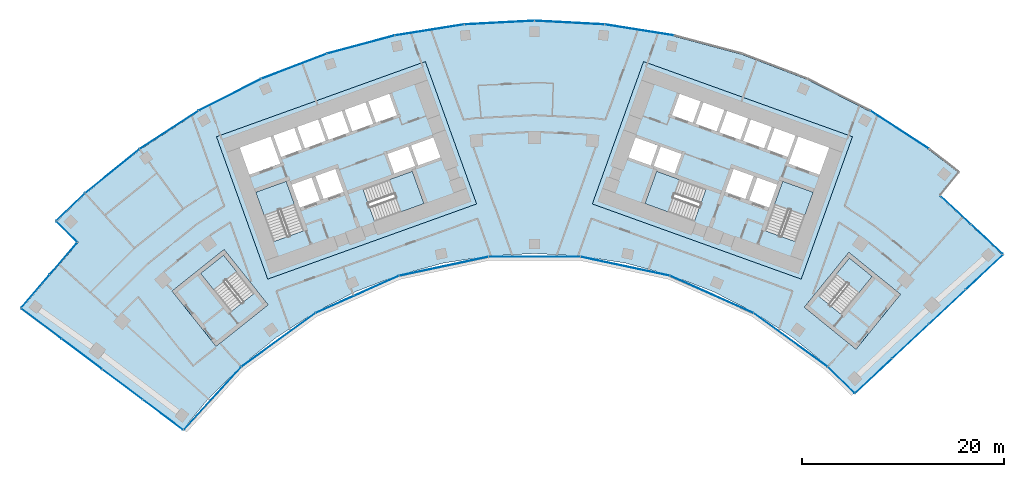
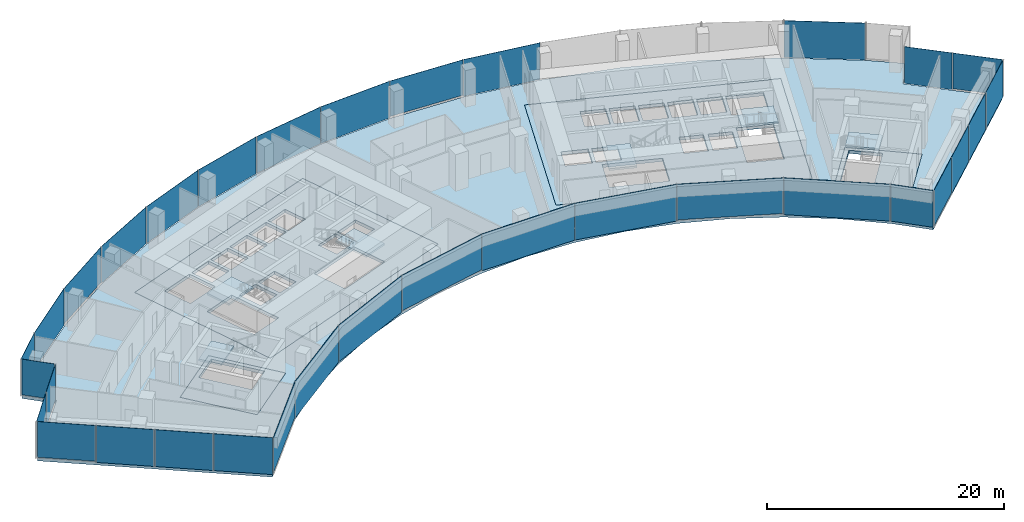
# One storey, part 11 of 20: 33 plates, 11 slabs, 13 elements without a shape of their own.
"""IFC4 building model written with IfcOpenShell, lengths in metres."""

from ifc_helpers import new_model, si_unit, direction, frame, origin, origin_2d, place, context, subcontext, project, spatial, polyline, rectangle, outline, extrude, material, layer, layer_set, type_object, element, aggregate, save


model = new_model("IFC4")

# Units and contexts
model_context = context("Model", 3, precision=1e-05, world=origin(), true_north=direction((0.0, 1.0)))
body_context = subcontext(model_context, "Body", "Model", "MODEL_VIEW")
ifc_project = project(units=[si_unit("LENGTHUNIT", "METRE"), si_unit("AREAUNIT", "SQUARE_METRE"), si_unit("VOLUMEUNIT", "CUBIC_METRE"), si_unit("PLANEANGLEUNIT", "RADIAN"), si_unit("MASSUNIT", "GRAM", prefix="KILO")], contexts=[model_context])

# Site, building, storey
site_placement = place(None, origin())
site = spatial("IfcSite", under=ifc_project, at=site_placement, CompositionType="ELEMENT")
building_placement = place(site_placement, origin())
building = spatial("IfcBuilding", under=site, at=building_placement, Name="Stone Belt Terrace Tower", CompositionType="ELEMENT")
storey_placement = place(building_placement, frame((0.0, 0.0, 185.800048828125)))
storey = spatial("IfcBuildingStorey", under=building, at=storey_placement, Name="L45", CompositionType="ELEMENT", Elevation=185.800048828125)

# Curtain wall, plates
ifc_material_1 = material(Name="Aluminium 6063-T6 anodised frame", Category="aluminium")
ifc_layer_1 = layer(ifc_material_1, 0.14990234375)
ifc_layer_set_1 = layer_set([ifc_layer_1], Name="CW-A unitised convex-face curtain wall")
curtain_wall_type_1 = type_object("IfcCurtainWallType", Name="CW-A unitised convex-face curtain wall", PredefinedType="NOTDEFINED", material=ifc_layer_set_1)
curtain_wall_1_placement = place(storey_placement, origin())
curtain_wall_1 = element("IfcCurtainWall", 1, at=curtain_wall_1_placement, inside=storey, type_object=curtain_wall_type_1, Name="CW-A convex face L45", PredefinedType="NOTDEFINED")
ifc_material_2 = material(Name="Clear double glazed unit")
ifc_layer_2 = layer(ifc_material_2, 0.031982421875)
ifc_layer_set_2 = layer_set([ifc_layer_2], Name="CW-A glass panel 32")
plate_type_1 = type_object("IfcPlateType", Name="CW-A glass panel 32", PredefinedType="CURTAIN_PANEL", material=ifc_layer_set_2)
plate_1_placement = place(storey_placement, frame((36.209716796875, 55.758056640625, 0.0), z_axis=(0.0, 0.0, 1.0), x_axis=(-0.838670567945, 0.544639035015, 0.0)))
plate_1 = element("IfcPlate", 2, at=plate_1_placement, type_object=plate_type_1, Name="CW-A panel 2.1", PredefinedType="CURTAIN_PANEL", context=body_context, shape_type="SweptSolid", body=[
    extrude(rectangle(XDim=6.900634765625, YDim=0.031982421875, at=origin_2d()), origin(), (0.0, 0.0, 1.0), 3.800048828125),
])
plate_2_placement = place(storey_placement, frame((10.400390625, 65.665283203125, 0.0), z_axis=(0.0, 0.0, 1.0), x_axis=(-0.987688340595, 0.15643446504, 0.0)))
plate_2 = element("IfcPlate", 3, at=plate_2_placement, type_object=plate_type_1, Name="CW-A panel 6.1", PredefinedType="CURTAIN_PANEL", context=body_context, shape_type="SweptSolid", body=[
    extrude(rectangle(XDim=6.90087890625, YDim=0.031982421875, at=origin_2d()), origin(), (0.0, 0.0, 1.0), 3.800048828125),
])
plate_3_placement = place(storey_placement, frame((3.4794921875, 66.392822265625, 0.14013671875), z_axis=(0.0, 0.0, 1.0), x_axis=(-0.998629534755, 0.052335956243, 0.0)))
plate_3 = element("IfcPlate", 4, at=plate_3_placement, type_object=plate_type_1, Name="CW-A panel 7.1", PredefinedType="CURTAIN_PANEL", context=body_context, shape_type="SweptSolid", body=[
    extrude(rectangle(XDim=6.90087890625, YDim=0.031982421875, at=origin_2d()), origin(), (0.0, 0.0, 1.0), 3.659912109375),
])
plate_4_placement = place(storey_placement, frame((-3.4794921875, 66.392822265625, 0.0), z_axis=(0.0, 0.0, 1.0), x_axis=(-0.998629534755, -0.052335956243, 0.0)))
plate_4 = element("IfcPlate", 5, at=plate_4_placement, type_object=plate_type_1, Name="CW-A panel 8.1", PredefinedType="CURTAIN_PANEL", context=body_context, shape_type="SweptSolid", body=[
    extrude(rectangle(XDim=6.90087890625, YDim=0.031982421875, at=origin_2d()), origin(), (0.0, 0.0, 1.0), 3.800048828125),
])
plate_5_placement = place(storey_placement, frame((-10.400390625, 65.665283203125, 0.0), z_axis=(0.0, 0.0, 1.0), x_axis=(-0.987688340595, -0.15643446504, 0.0)))
plate_5 = element("IfcPlate", 6, at=plate_5_placement, type_object=plate_type_1, Name="CW-A panel 9.1", PredefinedType="CURTAIN_PANEL", context=body_context, shape_type="SweptSolid", body=[
    extrude(rectangle(XDim=6.90087890625, YDim=0.031982421875, at=origin_2d()), origin(), (0.0, 0.0, 1.0), 3.800048828125),
])
plate_6_placement = place(storey_placement, frame((-17.207275390625, 64.218505859375, 0.0), z_axis=(0.0, 0.0, 1.0), x_axis=(-0.965925826289, -0.258819045103, 0.0)))
plate_6 = element("IfcPlate", 7, at=plate_6_placement, type_object=plate_type_1, Name="CW-A panel 10.1", PredefinedType="CURTAIN_PANEL", context=body_context, shape_type="SweptSolid", body=[
    extrude(rectangle(XDim=6.90087890625, YDim=0.031982421875, at=origin_2d()), origin(), (0.0, 0.0, 1.0), 3.800048828125),
])
plate_7_placement = place(storey_placement, frame((-23.82568359375, 62.068115234375, 0.0), z_axis=(0.0, 0.0, 1.0), x_axis=(-0.933580426497, -0.358367949545, 0.0)))
plate_7 = element("IfcPlate", 8, at=plate_7_placement, type_object=plate_type_1, Name="CW-A panel 11.1", PredefinedType="CURTAIN_PANEL", context=body_context, shape_type="SweptSolid", body=[
    extrude(rectangle(XDim=6.90087890625, YDim=0.031982421875, at=origin_2d()), origin(), (0.0, 0.0, 1.0), 3.800048828125),
])
plate_8_placement = place(storey_placement, frame((-30.18310546875, 59.237548828125, 0.0), z_axis=(0.0, 0.0, 1.0), x_axis=(-0.891006524188, -0.45399049974, 0.0)))
plate_8 = element("IfcPlate", 9, at=plate_8_placement, type_object=plate_type_1, Name="CW-A panel 12.1", PredefinedType="CURTAIN_PANEL", context=body_context, shape_type="SweptSolid", body=[
    extrude(rectangle(XDim=6.90087890625, YDim=0.031982421875, at=origin_2d()), origin(), (0.0, 0.0, 1.0), 3.800048828125),
])
plate_9_placement = place(storey_placement, frame((-36.209716796875, 55.758056640625, 0.14013671875), z_axis=(0.0, 0.0, 1.0), x_axis=(-0.838670567945, -0.544639035015, 0.0)))
plate_9 = element("IfcPlate", 10, at=plate_9_placement, type_object=plate_type_1, Name="CW-A panel 13.1", PredefinedType="CURTAIN_PANEL", context=body_context, shape_type="SweptSolid", body=[
    extrude(rectangle(XDim=6.90087890625, YDim=0.031982421875, at=origin_2d()), origin(), (0.0, 0.0, 1.0), 3.659912109375),
])
plate_10_placement = place(storey_placement, frame((-41.839599609375, 51.667724609375, 0.0), z_axis=(0.0, 0.0, 1.0), x_axis=(-0.777145961457, -0.62932039105, 0.0)))
plate_10 = element("IfcPlate", 11, at=plate_10_placement, type_object=plate_type_1, Name="CW-A panel 14.1", PredefinedType="CURTAIN_PANEL", context=body_context, shape_type="SweptSolid", body=[
    extrude(rectangle(XDim=6.900634765625, YDim=0.031982421875, at=origin_2d()), origin(), (0.0, 0.0, 1.0), 3.800048828125),
])
plate_11_placement = place(storey_placement, frame((-45.9765625, 48.109619140625, 0.0), z_axis=(0.0, 0.0, 1.0), x_axis=(-0.723120883539, -0.690721497993, 0.0)))
plate_11 = element("IfcPlate", 12, at=plate_11_placement, type_object=plate_type_1, Name="CW-A panel 15.1", PredefinedType="CURTAIN_PANEL", context=body_context, shape_type="SweptSolid", body=[
    extrude(rectangle(XDim=3.888671875, YDim=0.031982421875, at=origin_2d()), origin(), (0.0, 0.0, 1.0), 3.800048828125),
])
aggregate(curtain_wall_1, [plate_1, plate_2, plate_3, plate_4, plate_5, plate_6, plate_7, plate_8, plate_9, plate_10, plate_11])

ifc_layer_3 = layer(ifc_material_1, 0.14990234375)
ifc_layer_set_3 = layer_set([ifc_layer_3], Name="CW-B unitised concave-face curtain wall")
curtain_wall_type_2 = type_object("IfcCurtainWallType", Name="CW-B unitised concave-face curtain wall", PredefinedType="NOTDEFINED", material=ifc_layer_set_3)
curtain_wall_2_placement = place(storey_placement, origin())
curtain_wall_2 = element("IfcCurtainWall", 13, at=curtain_wall_2_placement, inside=storey, type_object=curtain_wall_type_2, Name="CW-B concave face L45", PredefinedType="NOTDEFINED")
ifc_layer_4 = layer(ifc_material_2, 0.030029296875)
ifc_layer_set_4 = layer_set([ifc_layer_4], Name="CW-B glass panel 30")
plate_type_2 = type_object("IfcPlateType", Name="CW-B glass panel 30", PredefinedType="CURTAIN_PANEL", material=ifc_layer_set_4)
plate_12_placement = place(storey_placement, frame((-31.9111328125, 29.148681640625, 0.1201171875), z_axis=(0.0, 0.0, 1.0), x_axis=(0.674760998748, 0.73803630979, 0.0)))
plate_12 = element("IfcPlate", 14, at=plate_12_placement, type_object=plate_type_2, Name="CW-B panel 1.1", PredefinedType="CURTAIN_PANEL", context=body_context, shape_type="SweptSolid", body=[
    extrude(rectangle(XDim=8.39501953125, YDim=0.030029296875, at=origin_2d()), origin(), (0.0, 0.0, 1.0), 3.679931640625),
])
plate_13_placement = place(storey_placement, frame((-25.384765625, 34.938720703125, 0.0), z_axis=(0.0, 0.0, 1.0), x_axis=(0.809016994375, 0.587785252292, 0.0)))
plate_13 = element("IfcPlate", 15, at=plate_13_placement, type_object=plate_type_2, Name="CW-B panel 2.1", PredefinedType="CURTAIN_PANEL", context=body_context, shape_type="SweptSolid", body=[
    extrude(rectangle(XDim=9.013427734375, YDim=0.030029296875, at=origin_2d()), origin(), (0.0, 0.0, 1.0), 3.800048828125),
])
plate_14_placement = place(storey_placement, frame((-17.565673828125, 39.453125, 0.0), z_axis=(0.0, 0.0, 1.0), x_axis=(0.913545457643, 0.406736643076, 0.0)))
plate_14 = element("IfcPlate", 16, at=plate_14_placement, type_object=plate_type_2, Name="CW-B panel 3.1", PredefinedType="CURTAIN_PANEL", context=body_context, shape_type="SweptSolid", body=[
    extrude(rectangle(XDim=9.0126953125, YDim=0.030029296875, at=origin_2d()), origin(), (0.0, 0.0, 1.0), 3.800048828125),
])
plate_15_placement = place(storey_placement, frame((-8.97900390625, 42.242919921875, 0.1201171875), z_axis=(0.0, 0.0, 1.0), x_axis=(0.978147600734, 0.207911690818, 0.0)))
plate_15 = element("IfcPlate", 17, at=plate_15_placement, type_object=plate_type_2, Name="CW-B panel 4.1", PredefinedType="CURTAIN_PANEL", context=body_context, shape_type="SweptSolid", body=[
    extrude(rectangle(XDim=9.0126953125, YDim=0.030029296875, at=origin_2d()), origin(), (0.0, 0.0, 1.0), 3.679931640625),
])
plate_16_placement = place(storey_placement, frame((0.0, 43.186767578125, 0.0), z_axis=(0.0, 0.0, 1.0), x_axis=(1.0, 0.0, 0.0)))
plate_16 = element("IfcPlate", 18, at=plate_16_placement, type_object=plate_type_2, Name="CW-B panel 5.1", PredefinedType="CURTAIN_PANEL", context=body_context, shape_type="SweptSolid", body=[
    extrude(rectangle(XDim=9.0126953125, YDim=0.030029296875, at=origin_2d()), origin(), (0.0, 0.0, 1.0), 3.800048828125),
])
plate_17_placement = place(storey_placement, frame((8.97900390625, 42.242919921875, 0.0), z_axis=(0.0, 0.0, 1.0), x_axis=(0.978147600734, -0.207911690818, 0.0)))
plate_17 = element("IfcPlate", 19, at=plate_17_placement, type_object=plate_type_2, Name="CW-B panel 6.1", PredefinedType="CURTAIN_PANEL", context=body_context, shape_type="SweptSolid", body=[
    extrude(rectangle(XDim=9.0126953125, YDim=0.030029296875, at=origin_2d()), origin(), (0.0, 0.0, 1.0), 3.800048828125),
])
plate_18_placement = place(storey_placement, frame((17.565673828125, 39.453125, 0.1201171875), z_axis=(0.0, 0.0, 1.0), x_axis=(0.913545457643, -0.406736643076, 0.0)))
plate_18 = element("IfcPlate", 20, at=plate_18_placement, type_object=plate_type_2, Name="CW-B panel 7.1", PredefinedType="CURTAIN_PANEL", context=body_context, shape_type="SweptSolid", body=[
    extrude(rectangle(XDim=9.0126953125, YDim=0.030029296875, at=origin_2d()), origin(), (0.0, 0.0, 1.0), 3.679931640625),
])
plate_19_placement = place(storey_placement, frame((25.386474609375, 34.9375, 0.0), z_axis=(0.0, 0.0, 1.0), x_axis=(0.809016994375, -0.587785252292, 0.0)))
plate_19 = element("IfcPlate", 21, at=plate_19_placement, type_object=plate_type_2, Name="CW-B panel 8.1", PredefinedType="CURTAIN_PANEL", context=body_context, shape_type="SweptSolid", body=[
    extrude(rectangle(XDim=9.017333984375, YDim=0.030029296875, at=origin_2d()), origin(), (0.0, 0.0, 1.0), 3.800048828125),
])
plate_20_placement = place(storey_placement, frame((30.39013671875, 30.9638671875, 0.0), z_axis=(0.0, 0.0, 1.0), x_axis=(0.713994037945, -0.700151779102, 0.0)))
plate_20 = element("IfcPlate", 22, at=plate_20_placement, type_object=plate_type_2, Name="CW-B panel 9.1", PredefinedType="CURTAIN_PANEL", context=body_context, shape_type="SweptSolid", body=[
    extrude(rectangle(XDim=3.66845703125, YDim=0.030029296875, at=origin_2d()), origin(), (0.0, 0.0, 1.0), 3.800048828125),
])
aggregate(curtain_wall_2, [plate_12, plate_13, plate_14, plate_15, plate_16, plate_17, plate_18, plate_19, plate_20])

ifc_layer_5 = layer(ifc_material_1, 0.14990234375)
ifc_layer_set_5 = layer_set([ifc_layer_5], Name="CW-C stick curtain wall, horn ends and notches")
curtain_wall_type_3 = type_object("IfcCurtainWallType", Name="CW-C stick curtain wall, horn ends and notches", PredefinedType="NOTDEFINED", material=ifc_layer_set_5)
curtain_wall_3_placement = place(storey_placement, origin())
curtain_wall_3 = element("IfcCurtainWall", 23, at=curtain_wall_3_placement, inside=storey, type_object=curtain_wall_type_3, Name="CW-C end face L45", PredefinedType="NOTDEFINED")
ifc_layer_6 = layer(ifc_material_2, 0.028076171875)
ifc_layer_set_6 = layer_set([ifc_layer_6], Name="CW-C glass panel 28")
plate_type_3 = type_object("IfcPlateType", Name="CW-C glass panel 28", PredefinedType="CURTAIN_PANEL", material=ifc_layer_set_6)
plate_21_placement = place(storey_placement, frame((33.616455078125, 31.37890625, 0.1201171875), z_axis=(0.0, 0.0, 1.0), x_axis=(0.729904219708, 0.683549434973, 0.0)))
plate_21 = element("IfcPlate", 24, at=plate_21_placement, type_object=plate_type_3, Name="CW-C panel 1.1", PredefinedType="CURTAIN_PANEL", context=body_context, shape_type="SweptSolid", body=[
    extrude(rectangle(XDim=4.96826171875, YDim=0.028076171875, at=origin_2d()), origin(), (0.0, 0.0, 1.0), 3.679931640625),
])
plate_22_placement = place(storey_placement, frame((37.2763671875, 34.806396484375, 0.0), z_axis=(0.0, 0.0, 1.0), x_axis=(0.729904219708, 0.683549434973, 0.0)))
plate_22 = element("IfcPlate", 25, at=plate_22_placement, type_object=plate_type_3, Name="CW-C panel 2.1", PredefinedType="CURTAIN_PANEL", context=body_context, shape_type="SweptSolid", body=[
    extrude(rectangle(XDim=4.93994140625, YDim=0.028076171875, at=origin_2d()), origin(), (0.0, 0.0, 1.0), 3.800048828125),
])
plate_23_placement = place(storey_placement, frame((40.92578125, 38.22412109375, 0.0), z_axis=(0.0, 0.0, 1.0), x_axis=(0.729904219708, 0.683549434973, 0.0)))
plate_23 = element("IfcPlate", 26, at=plate_23_placement, type_object=plate_type_3, Name="CW-C panel 3.1", PredefinedType="CURTAIN_PANEL", context=body_context, shape_type="SweptSolid", body=[
    extrude(rectangle(XDim=4.93994140625, YDim=0.028076171875, at=origin_2d()), origin(), (0.0, 0.0, 1.0), 3.800048828125),
])
plate_24_placement = place(storey_placement, frame((44.588134765625, 41.65380859375, 0.0), z_axis=(0.0, 0.0, 1.0), x_axis=(0.729904219708, 0.683549434973, 0.0)))
plate_24 = element("IfcPlate", 27, at=plate_24_placement, type_object=plate_type_3, Name="CW-C panel 4.1", PredefinedType="CURTAIN_PANEL", context=body_context, shape_type="SweptSolid", body=[
    extrude(rectangle(XDim=4.974853515625, YDim=0.028076171875, at=origin_2d()), origin(), (0.0, 0.0, 1.0), 3.800048828125),
])
aggregate(curtain_wall_3, [plate_21, plate_22, plate_23, plate_24])

curtain_wall_4_placement = place(storey_placement, origin())
curtain_wall_4 = element("IfcCurtainWall", 28, at=curtain_wall_4_placement, inside=storey, type_object=curtain_wall_type_3, Name="CW-C notch face L45", PredefinedType="NOTDEFINED")
plate_25_placement = place(storey_placement, frame((44.8427734375, 44.91259765625, 0.1201171875), z_axis=(0.0, 0.0, 1.0), x_axis=(-0.731339333871, 0.682013767261, 0.0)))
plate_25 = element("IfcPlate", 29, at=plate_25_placement, type_object=plate_type_3, Name="CW-C panel 1.1", PredefinedType="CURTAIN_PANEL", context=body_context, shape_type="SweptSolid", body=[
    extrude(rectangle(XDim=4.268798828125, YDim=0.028076171875, at=origin_2d()), origin(), (0.0, 0.0, 1.0), 3.679931640625),
])
plate_26_placement = place(storey_placement, frame((41.731201171875, 47.814208984375, 0.0), z_axis=(0.0, 0.0, 1.0), x_axis=(-0.731339333871, 0.682013767261, 0.0)))
plate_26 = element("IfcPlate", 30, at=plate_26_placement, type_object=plate_type_3, Name="CW-C panel 2.1", PredefinedType="CURTAIN_PANEL", context=body_context, shape_type="SweptSolid", body=[
    extrude(rectangle(XDim=4.12060546875, YDim=0.028076171875, at=origin_2d()), origin(), (0.0, 0.0, 1.0), 3.800048828125),
])
aggregate(curtain_wall_4, [plate_25, plate_26])

# Curtain wall, plate
curtain_wall_5_placement = place(storey_placement, origin())
curtain_wall_5 = element("IfcCurtainWall", 31, at=curtain_wall_5_placement, inside=storey, type_object=curtain_wall_type_3, Name="CW-C notch face L45", PredefinedType="NOTDEFINED")
plate_27_placement = place(storey_placement, frame((-46.365966796875, 45.658447265625, 0.1201171875), z_axis=(0.0, 0.0, 1.0), x_axis=(0.711713447851, -0.702469905511, 0.0)))
plate_27 = element("IfcPlate", 32, at=plate_27_placement, type_object=plate_type_3, Name="CW-C panel 1.1", PredefinedType="CURTAIN_PANEL", context=body_context, shape_type="SweptSolid", body=[
    extrude(rectangle(XDim=2.859375, YDim=0.028076171875, at=origin_2d()), origin(), (0.0, 0.0, 1.0), 3.679931640625),
])
aggregate(curtain_wall_5, [plate_27])

# Curtain wall, plates
curtain_wall_6_placement = place(storey_placement, origin())
curtain_wall_6 = element("IfcCurtainWall", 33, at=curtain_wall_6_placement, inside=storey, type_object=curtain_wall_type_3, Name="CW-C notch face L45", PredefinedType="NOTDEFINED")
plate_28_placement = place(storey_placement, frame((-46.68896484375, 42.986572265625, 0.1201171875), z_axis=(0.0, 0.0, 1.0), x_axis=(-0.652737860281, -0.757583847343, 0.0)))
plate_28 = element("IfcPlate", 34, at=plate_28_placement, type_object=plate_type_3, Name="CW-C panel 1.1", PredefinedType="CURTAIN_PANEL", context=body_context, shape_type="SweptSolid", body=[
    extrude(rectangle(XDim=4.12060546875, YDim=0.028076171875, at=origin_2d()), origin(), (0.0, 0.0, 1.0), 3.679931640625),
])
plate_29_placement = place(storey_placement, frame((-49.466064453125, 39.76318359375, 0.0), z_axis=(0.0, 0.0, 1.0), x_axis=(-0.652737860281, -0.757583847343, 0.0)))
plate_29 = element("IfcPlate", 35, at=plate_29_placement, type_object=plate_type_3, Name="CW-C panel 2.1", PredefinedType="CURTAIN_PANEL", context=body_context, shape_type="SweptSolid", body=[
    extrude(rectangle(XDim=4.268798828125, YDim=0.028076171875, at=origin_2d()), origin(), (0.0, 0.0, 1.0), 3.800048828125),
])
aggregate(curtain_wall_6, [plate_28, plate_29])

curtain_wall_7_placement = place(storey_placement, origin())
curtain_wall_7 = element("IfcCurtainWall", 36, at=curtain_wall_7_placement, inside=storey, type_object=curtain_wall_type_3, Name="CW-C end face L45", PredefinedType="NOTDEFINED")
plate_30_placement = place(storey_placement, frame((-48.858154296875, 36.551513671875, 0.1201171875), z_axis=(0.0, 0.0, 1.0), x_axis=(0.799986505357, -0.600017992436, 0.0)))
plate_30 = element("IfcPlate", 37, at=plate_30_placement, type_object=plate_type_3, Name="CW-C panel 1.1", PredefinedType="CURTAIN_PANEL", context=body_context, shape_type="SweptSolid", body=[
    extrude(rectangle(XDim=4.974853515625, YDim=0.028076171875, at=origin_2d()), origin(), (0.0, 0.0, 1.0), 3.679931640625),
])
plate_31_placement = place(storey_placement, frame((-44.84423828125, 33.541015625, 0.0), z_axis=(0.0, 0.0, 1.0), x_axis=(0.799986505357, -0.600017992436, 0.0)))
plate_31 = element("IfcPlate", 38, at=plate_31_placement, type_object=plate_type_3, Name="CW-C panel 2.1", PredefinedType="CURTAIN_PANEL", context=body_context, shape_type="SweptSolid", body=[
    extrude(rectangle(XDim=4.93994140625, YDim=0.028076171875, at=origin_2d()), origin(), (0.0, 0.0, 1.0), 3.800048828125),
])
plate_32_placement = place(storey_placement, frame((-40.84423828125, 30.541015625, 0.0), z_axis=(0.0, 0.0, 1.0), x_axis=(0.799986505357, -0.600017992436, 0.0)))
plate_32 = element("IfcPlate", 39, at=plate_32_placement, type_object=plate_type_3, Name="CW-C panel 3.1", PredefinedType="CURTAIN_PANEL", context=body_context, shape_type="SweptSolid", body=[
    extrude(rectangle(XDim=4.93994140625, YDim=0.028076171875, at=origin_2d()), origin(), (0.0, 0.0, 1.0), 3.800048828125),
])
plate_33_placement = place(storey_placement, frame((-36.834228515625, 27.533203125, 0.0), z_axis=(0.0, 0.0, 1.0), x_axis=(0.799986505357, -0.600017992436, 0.0)))
plate_33 = element("IfcPlate", 40, at=plate_33_placement, type_object=plate_type_3, Name="CW-C panel 4.1", PredefinedType="CURTAIN_PANEL", context=body_context, shape_type="SweptSolid", body=[
    extrude(rectangle(XDim=4.96533203125, YDim=0.028076171875, at=origin_2d()), origin(), (0.0, 0.0, 1.0), 3.800048828125),
])
aggregate(curtain_wall_7, [plate_30, plate_31, plate_32, plate_33])

# Slabs
ifc_material_3 = material(Name="Concrete B40", Category="concrete")
ifc_layer_7 = layer(ifc_material_3, 0.320068359375)
ifc_layer_set_7 = layer_set([ifc_layer_7], Name="Core floor slab 320")
slab_type_1 = type_object("IfcSlabType", Name="Core floor slab 320", PredefinedType="FLOOR", material=ifc_layer_set_7)
slab_1_placement = place(storey_placement, frame((0.0, 0.0, -0.320068359375)))
element("IfcSlab", 41, at=slab_1_placement, inside=storey, type_object=slab_type_1, Name="Core A floor L45", PredefinedType="FLOOR", context=body_context, shape_type="SweptSolid", body=[
    extrude(outline(polyline([(-26.43505859375, 40.968994140625), (-5.735107421875, 48.4189453125), (-10.81396484375, 62.531982421875), (-31.513916015625, 55.0830078125), (-26.43505859375, 40.968994140625)]), holes=[polyline([(-24.60791015625, 50.659912109375), (-22.847900390625, 45.76806640625), (-25.85888671875, 44.68408203125), (-27.618896484375, 49.575927734375), (-24.60791015625, 50.659912109375)]), polyline([(-23.25, 48.06689453125), (-24.06298828125, 50.324951171875), (-22.0869140625, 51.035888671875), (-21.27392578125, 48.778076171875), (-23.25, 48.06689453125)]), polyline([(-20.89794921875, 48.9130859375), (-21.7109375, 51.1708984375), (-19.735107421875, 51.883056640625), (-18.922119140625, 49.6240234375), (-20.89794921875, 48.9130859375)]), polyline([(-28.24609375, 51.31689453125), (-29.2109375, 53.9990234375), (-26.153076171875, 55.09912109375), (-25.18798828125, 52.41796875), (-28.24609375, 51.31689453125)]), polyline([(-23.801025390625, 55.946044921875), (-23.0390625, 53.8291015625), (-25.10888671875, 53.083984375), (-25.87109375, 55.200927734375), (-23.801025390625, 55.946044921875)]), polyline([(-21.447998046875, 56.7919921875), (-20.68603515625, 54.675048828125), (-22.756103515625, 53.929931640625), (-23.51806640625, 56.047119140625), (-21.447998046875, 56.7919921875)]), polyline([(-10.955078125, 48.452880859375), (-15.846923828125, 46.69189453125), (-16.998046875, 49.89208984375), (-12.10595703125, 51.652099609375), (-10.955078125, 48.452880859375)]), polyline([(-11.847900390625, 52.116943359375), (-11.864990234375, 52.1640625), (-13.887939453125, 51.43603515625), (-14.58203125, 53.364990234375), (-12.511962890625, 54.110107421875), (-11.801025390625, 52.134033203125), (-11.847900390625, 52.116943359375)]), polyline([(-9.30810546875, 53.031005859375), (-11.51904296875, 52.235107421875), (-12.22998046875, 54.2109375), (-10.01904296875, 55.007080078125), (-9.30810546875, 53.031005859375)]), polyline([(-21.166015625, 56.89404296875), (-19.095947265625, 57.638916015625), (-18.333984375, 55.52197265625), (-20.404052734375, 54.777099609375), (-21.166015625, 56.89404296875)]), polyline([(-16.743896484375, 58.485107421875), (-15.98193359375, 56.367919921875), (-18.052001953125, 55.623046875), (-18.81396484375, 57.739990234375), (-16.743896484375, 58.485107421875)]), polyline([(-14.39111328125, 59.33203125), (-13.6298828125, 57.215087890625), (-15.699951171875, 56.469970703125), (-16.4609375, 58.5869140625), (-14.39111328125, 59.33203125)])]), origin(), (0.0, 0.0, 1.0), 0.320068359375),
])
slab_2_placement = place(storey_placement, frame((0.0, 0.0, -0.320068359375)))
element("IfcSlab", 42, at=slab_2_placement, inside=storey, type_object=slab_type_1, Name="Core B floor L45", PredefinedType="FLOOR", context=body_context, shape_type="SweptSolid", body=[
    extrude(outline(polyline([(26.43505859375, 40.968994140625), (31.513916015625, 55.0830078125), (10.81396484375, 62.531982421875), (5.735107421875, 48.4189453125), (26.43505859375, 40.968994140625)]), holes=[polyline([(12.10595703125, 51.652099609375), (16.998046875, 49.89208984375), (15.846923828125, 46.69189453125), (10.955078125, 48.452880859375), (12.10595703125, 51.652099609375)]), polyline([(12.511962890625, 54.110107421875), (14.58203125, 53.364990234375), (13.887939453125, 51.43603515625), (11.864990234375, 52.1640625), (11.847900390625, 52.116943359375), (11.801025390625, 52.134033203125), (12.511962890625, 54.110107421875)]), polyline([(9.30810546875, 53.031005859375), (10.01904296875, 55.007080078125), (12.22998046875, 54.2109375), (11.51904296875, 52.235107421875), (9.30810546875, 53.031005859375)]), polyline([(18.333984375, 55.52197265625), (19.095947265625, 57.638916015625), (21.166015625, 56.89404296875), (20.404052734375, 54.777099609375), (18.333984375, 55.52197265625)]), polyline([(16.743896484375, 58.485107421875), (18.81396484375, 57.739990234375), (18.052001953125, 55.623046875), (15.98193359375, 56.367919921875), (16.743896484375, 58.485107421875)]), polyline([(14.39111328125, 59.33203125), (16.4609375, 58.5869140625), (15.699951171875, 56.469970703125), (13.6298828125, 57.215087890625), (14.39111328125, 59.33203125)]), polyline([(27.618896484375, 49.575927734375), (25.85888671875, 44.68408203125), (22.847900390625, 45.76806640625), (24.60791015625, 50.659912109375), (27.618896484375, 49.575927734375)]), polyline([(23.25, 48.06689453125), (21.27392578125, 48.778076171875), (22.0869140625, 51.035888671875), (24.06298828125, 50.324951171875), (23.25, 48.06689453125)]), polyline([(20.89794921875, 48.9130859375), (18.922119140625, 49.6240234375), (19.735107421875, 51.883056640625), (21.7109375, 51.1708984375), (20.89794921875, 48.9130859375)]), polyline([(26.153076171875, 55.09912109375), (29.2109375, 53.9990234375), (28.24609375, 51.31689453125), (25.18798828125, 52.41796875), (26.153076171875, 55.09912109375)]), polyline([(23.801025390625, 55.946044921875), (25.87109375, 55.200927734375), (25.10888671875, 53.083984375), (23.0390625, 53.8291015625), (23.801025390625, 55.946044921875)]), polyline([(21.447998046875, 56.7919921875), (23.51806640625, 56.047119140625), (22.756103515625, 53.929931640625), (20.68603515625, 54.675048828125), (21.447998046875, 56.7919921875)])]), origin(), (0.0, 0.0, 1.0), 0.320068359375),
])
slab_3_placement = place(storey_placement, frame((0.0, 0.0, -0.320068359375)))
element("IfcSlab", 43, at=slab_3_placement, inside=storey, type_object=slab_type_1, Name="Exit stair ST3A floor L45", PredefinedType="FLOOR", context=body_context, shape_type="SweptSolid", body=[
    extrude(outline(polyline([(-26.39404296875, 38.425048828125), (-30.756103515625, 43.89990234375), (-35.91796875, 39.787109375), (-31.555908203125, 34.31298828125), (-26.39404296875, 38.425048828125)]), holes=[polyline([(-27.798095703125, 39.544921875), (-30.06591796875, 37.738037109375), (-33.087890625, 41.531005859375), (-30.820068359375, 43.337890625), (-27.798095703125, 39.544921875)])]), origin(), (0.0, 0.0, 1.0), 0.320068359375),
])
slab_4_placement = place(storey_placement, frame((0.0, 0.0, -0.320068359375)))
element("IfcSlab", 44, at=slab_4_placement, inside=storey, type_object=slab_type_1, Name="Exit stair ST3B floor L45", PredefinedType="FLOOR", context=body_context, shape_type="SweptSolid", body=[
    extrude(outline(polyline([(26.741943359375, 38.18408203125), (31.866943359375, 34.02392578125), (36.278076171875, 39.458984375), (31.154052734375, 43.618896484375), (26.741943359375, 38.18408203125)]), holes=[polyline([(30.407958984375, 37.462890625), (28.156005859375, 39.291015625), (31.2119140625, 43.055908203125), (33.464111328125, 41.22802734375), (30.407958984375, 37.462890625)])]), origin(), (0.0, 0.0, 1.0), 0.320068359375),
])
ifc_layer_8 = layer(ifc_material_3, 0.320068359375)
ifc_layer_set_8 = layer_set([ifc_layer_8], Name="Floor slab 320 B40")
slab_type_2 = type_object("IfcSlabType", Name="Floor slab 320 B40", PredefinedType="FLOOR", material=ifc_layer_set_8)
slab_5_placement = place(storey_placement, frame((0.0, 0.0, -0.320068359375)))
element("IfcSlab", 45, at=slab_5_placement, inside=storey, type_object=slab_type_2, Name="Floor slab L45", PredefinedType="FLOOR", context=body_context, shape_type="SweptSolid", body=[
    extrude(outline(polyline([(-44.497314453125, 49.419189453125), (-39.087646484375, 53.799560546875), (-33.25, 57.5908203125), (-27.048095703125, 60.750732421875), (-20.549560546875, 63.245361328125), (-13.826171875, 65.046875), (-6.951171875, 66.1357421875), (0.0, 66.5), (6.951171875, 66.1357421875), (13.826171875, 65.046875), (20.549560546875, 63.245361328125), (27.048095703125, 60.750732421875), (33.25, 57.5908203125), (39.087646484375, 53.799560546875), (41.961669921875, 51.589599609375), (40.068603515625, 49.26220703125), (46.348876953125, 43.405517578125), (31.750732421875, 29.734375), (29.107177734375, 32.326904296875), (25.568603515625, 35.192138671875), (21.75, 37.672119140625), (17.693115234375, 39.7392578125), (13.442138671875, 41.37109375), (9.044189453125, 42.54931640625), (4.547119140625, 43.26171875), (0.0, 43.5), (-4.547119140625, 43.26171875), (-9.044189453125, 42.54931640625), (-13.442138671875, 41.37109375), (-17.693115234375, 39.7392578125), (-21.75, 37.672119140625), (-25.568603515625, 35.192138671875), (-29.107177734375, 32.326904296875), (-32.326904296875, 29.107177734375), (-34.79931640625, 26.100830078125), (-50.799072265625, 38.10107421875), (-45.19384765625, 44.606689453125), (-47.328857421875, 46.714111328125), (-44.497314453125, 49.419189453125)]), holes=[polyline([(-26.434814453125, 40.968994140625), (-5.734619140625, 48.418701171875), (-10.81396484375, 62.532470703125), (-31.51416015625, 55.082763671875), (-26.434814453125, 40.968994140625)]), polyline([(10.81396484375, 62.532470703125), (5.734619140625, 48.418701171875), (26.434814453125, 40.968994140625), (31.51416015625, 55.082763671875), (10.81396484375, 62.532470703125)]), polyline([(-35.91796875, 39.787353515625), (-31.55615234375, 34.3125), (-26.39404296875, 38.425048828125), (-30.756103515625, 43.89990234375), (-35.91796875, 39.787353515625)]), polyline([(36.2783203125, 39.459228515625), (31.15380859375, 43.61865234375), (26.742431640625, 38.18359375), (31.86669921875, 34.024169921875), (36.2783203125, 39.459228515625)])]), origin(), (0.0, 0.0, 1.0), 0.320068359375),
])

# Stair, slab
stair_type = type_object("IfcStairType", Name="Exit stair 1500", PredefinedType="HALF_TURN_STAIR", material=ifc_material_3)
stair_1_placement = place(storey_placement, origin())
stair_1 = element("IfcStair", 46, at=stair_1_placement, inside=storey, type_object=stair_type, Name="L45 Exit stair 1 core A", PredefinedType="HALF_TURN_STAIR")
ifc_layer_9 = layer(ifc_material_3, 0.199951171875)
ifc_layer_set_9 = layer_set([ifc_layer_9], Name="Stair landing 200")
slab_type_3 = type_object("IfcSlabType", Name="Stair landing 200", PredefinedType="LANDING", material=ifc_layer_set_9)
slab_6_placement = place(storey_placement, frame((0.0, 0.0, 1.699951171875)))
slab_6 = element("IfcSlab", 47, at=slab_6_placement, type_object=slab_type_3, Name="ST1A landing 1", PredefinedType="LANDING", context=body_context, shape_type="SweptSolid", body=[
    extrude(outline(polyline([(-23.79541015625, 48.40087890625), (-24.6083984375, 50.659912109375), (-27.619384765625, 49.576171875), (-26.806396484375, 47.3173828125), (-23.79541015625, 48.40087890625)])), origin(), (0.0, 0.0, 1.0), 0.199951171875),
])
aggregate(stair_1, [slab_6])

stair_2_placement = place(storey_placement, origin())
stair_2 = element("IfcStair", 48, at=stair_2_placement, inside=storey, type_object=stair_type, Name="L45 Exit stair 2 core A", PredefinedType="HALF_TURN_STAIR")
slab_7_placement = place(storey_placement, frame((0.0, 0.0, 1.699951171875)))
slab_7 = element("IfcSlab", 49, at=slab_7_placement, type_object=slab_type_3, Name="ST2A landing 1", PredefinedType="LANDING", context=body_context, shape_type="SweptSolid", body=[
    extrude(outline(polyline([(-13.213623046875, 47.64013671875), (-10.95458984375, 48.453125), (-12.10595703125, 51.652099609375), (-14.36474609375, 50.839111328125), (-13.213623046875, 47.64013671875)])), origin(), (0.0, 0.0, 1.0), 0.199951171875),
])
aggregate(stair_2, [slab_7])

stair_3_placement = place(storey_placement, origin())
stair_3 = element("IfcStair", 50, at=stair_3_placement, inside=storey, type_object=stair_type, Name="L45 Exit stair 1 core B", PredefinedType="HALF_TURN_STAIR")
slab_8_placement = place(storey_placement, frame((0.0, 0.0, 1.699951171875)))
slab_8 = element("IfcSlab", 51, at=slab_8_placement, type_object=slab_type_3, Name="ST1B landing 1", PredefinedType="LANDING", context=body_context, shape_type="SweptSolid", body=[
    extrude(outline(polyline([(26.806396484375, 47.3173828125), (27.619384765625, 49.576171875), (24.6083984375, 50.659912109375), (23.79541015625, 48.40087890625), (26.806396484375, 47.3173828125)])), origin(), (0.0, 0.0, 1.0), 0.199951171875),
])
aggregate(stair_3, [slab_8])

stair_4_placement = place(storey_placement, origin())
stair_4 = element("IfcStair", 52, at=stair_4_placement, inside=storey, type_object=stair_type, Name="L45 Exit stair 2 core B", PredefinedType="HALF_TURN_STAIR")
slab_9_placement = place(storey_placement, frame((0.0, 0.0, 1.699951171875)))
slab_9 = element("IfcSlab", 53, at=slab_9_placement, type_object=slab_type_3, Name="ST2B landing 1", PredefinedType="LANDING", context=body_context, shape_type="SweptSolid", body=[
    extrude(outline(polyline([(14.36474609375, 50.839111328125), (12.10595703125, 51.652099609375), (10.95458984375, 48.453125), (13.213623046875, 47.64013671875), (14.36474609375, 50.839111328125)])), origin(), (0.0, 0.0, 1.0), 0.199951171875),
])
aggregate(stair_4, [slab_9])

stair_5_placement = place(storey_placement, origin())
stair_5 = element("IfcStair", 54, at=stair_5_placement, inside=storey, type_object=stair_type, Name="L45 Exit stair 3A", PredefinedType="HALF_TURN_STAIR")
slab_10_placement = place(storey_placement, frame((0.0, 0.0, 1.699951171875)))
slab_10 = element("IfcSlab", 55, at=slab_10_placement, type_object=slab_type_3, Name="ST3A landing 1", PredefinedType="LANDING", context=body_context, shape_type="SweptSolid", body=[
    extrude(outline(polyline([(-29.541748046875, 41.73388671875), (-30.819580078125, 43.337890625), (-33.087646484375, 41.53076171875), (-31.809814453125, 39.9267578125), (-29.541748046875, 41.73388671875)])), origin(), (0.0, 0.0, 1.0), 0.199951171875),
])
aggregate(stair_5, [slab_10])

stair_6_placement = place(storey_placement, origin())
stair_6 = element("IfcStair", 56, at=stair_6_placement, inside=storey, type_object=stair_type, Name="L45 Exit stair 3B", PredefinedType="HALF_TURN_STAIR")
slab_11_placement = place(storey_placement, frame((0.0, 0.0, 1.699951171875)))
slab_11 = element("IfcSlab", 57, at=slab_11_placement, type_object=slab_type_3, Name="ST3B landing 1", PredefinedType="LANDING", context=body_context, shape_type="SweptSolid", body=[
    extrude(outline(polyline([(32.17138671875, 39.635986328125), (33.4638671875, 41.228271484375), (31.21240234375, 43.055908203125), (29.919921875, 41.463623046875), (32.17138671875, 39.635986328125)])), origin(), (0.0, 0.0, 1.0), 0.199951171875),
])
aggregate(stair_6, [slab_11])

save(model, "model.ifc")
